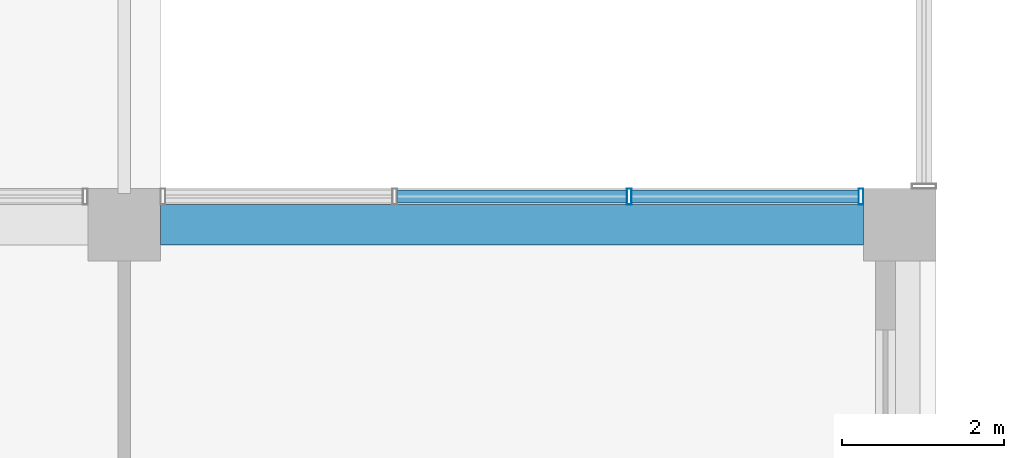
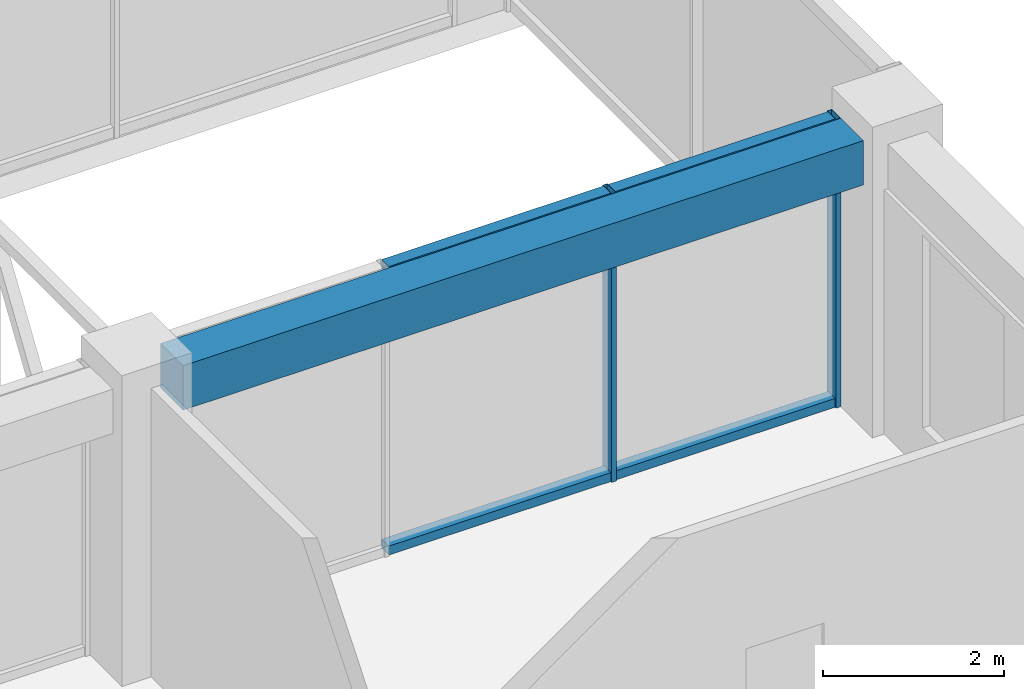
# One storey, part 18 of 38: 6 members, 1 beam, 1 element without a shape of its own.
"""IFC4 building model written with IfcOpenShell, lengths in metres."""

from ifc_helpers import new_model, si_unit, direction, frame, origin, origin_2d, place, context, subcontext, project, spatial, rectangle, hollow_rectangle, extrude, material, layer, layer_set, material_profile, profile_set, type_object, element, aggregate, save


model = new_model("IFC4")

# Units and contexts
model_context = context("Model", 3, precision=1e-05, world=origin(), true_north=direction((0.0, 1.0)))
body_context = subcontext(model_context, "Body", "Model", "MODEL_VIEW")
ifc_project = project(units=[si_unit("LENGTHUNIT", "METRE"), si_unit("AREAUNIT", "SQUARE_METRE"), si_unit("VOLUMEUNIT", "CUBIC_METRE"), si_unit("PLANEANGLEUNIT", "RADIAN"), si_unit("MASSUNIT", "GRAM", prefix="KILO")], contexts=[model_context])

# Site, building, storey
site_placement = place(None, origin())
site = spatial("IfcSite", under=ifc_project, at=site_placement, CompositionType="ELEMENT")
building_placement = place(site_placement, origin())
building = spatial("IfcBuilding", under=site, at=building_placement, Name="Nzadi Deep Aquarium and Research Tower", CompositionType="ELEMENT")
storey_placement = place(building_placement, frame((0.0, 0.0, 65.5)))
storey = spatial("IfcBuildingStorey", under=building, at=storey_placement, Name="L13", CompositionType="ELEMENT", Elevation=65.5)

# Curtain wall, members
ifc_material_1 = material(Name="Aluminium unitised frame", Category="aluminium")
ifc_layer = layer(ifc_material_1, 0.199951171875)
ifc_layer_set = layer_set([ifc_layer], Name="Aluminium unitised frame")
curtain_wall_type = type_object("IfcCurtainWallType", Name="Curtain wall Unitised 200", PredefinedType="NOTDEFINED", material=ifc_layer_set)
curtain_wall_placement = place(storey_placement, origin())
curtain_wall = element("IfcCurtainWall", 1, at=curtain_wall_placement, inside=storey, type_object=curtain_wall_type, Name="Unitised curtain wall blade A north L13", PredefinedType="NOTDEFINED")
ifc_material_2 = material(Name="Aluminium unitised frame", Category="aluminium")
ifc_material_profile_1 = material_profile(ifc_material_2, hollow_rectangle(XDim=0.199951171875, YDim=0.06005859375, WallThickness=0.0048828125, at=origin_2d()))
ifc_profile_set_1 = profile_set([ifc_material_profile_1], Name="Aluminium unitised frame")
member_type_1 = type_object("IfcMemberType", Name="Mullion 60x200 Unitised", PredefinedType="MULLION", material=ifc_profile_set_1)
member_1_placement = place(storey_placement, frame((44.64990234375, 18.75, 0.0), z_axis=(0.0, 0.0, 1.0), x_axis=(0.0, 1.0, 0.0)))
member_1 = element("IfcMember", 2, at=member_1_placement, type_object=member_type_1, Name="CW063 mullion 3", PredefinedType="MULLION", context=body_context, shape_type="SweptSolid", body=[
    extrude(hollow_rectangle(XDim=0.199951171875, YDim=0.06005859375, WallThickness=0.0048828125, at=origin_2d()), origin(), (0.0, 0.0, 1.0), 3.89990234375),
])
member_2_placement = place(storey_placement, frame((47.52001953125, 18.75, 0.0), z_axis=(0.0, 0.0, 1.0), x_axis=(0.0, 1.0, 0.0)))
member_2 = element("IfcMember", 3, at=member_2_placement, type_object=member_type_1, Name="CW063 mullion 4", PredefinedType="MULLION", context=body_context, shape_type="SweptSolid", body=[
    extrude(hollow_rectangle(XDim=0.199951171875, YDim=0.06005859375, WallThickness=0.0048828125, at=origin_2d()), origin(), (0.0, 0.0, 1.0), 3.89990234375),
])

# Beam
ifc_material_3 = material(Name="Concrete C35/45", Category="concrete")
ifc_material_profile_2 = material_profile(ifc_material_3, rectangle(XDim=0.5, YDim=0.60009765625, at=origin_2d()))
ifc_profile_set_2 = profile_set([ifc_material_profile_2], Name="Concrete C35/45")
beam_type = type_object("IfcBeamType", Name="RC 500x600", PredefinedType="BEAM", material=ifc_profile_set_2)
beam_placement = place(storey_placement, frame((38.85009765625, 18.39990234375, 3.60009765625), z_axis=(1.0, 0.0, 0.0), x_axis=(0.0, 1.0, 0.0)))
element("IfcBeam", 4, at=beam_placement, inside=storey, type_object=beam_type, Name="B-Z1-L13-L3-5", PredefinedType="BEAM", context=body_context, shape_type="SweptSolid", body=[
    extrude(rectangle(XDim=0.5, YDim=0.60009765625, at=origin_2d()), origin(), (0.0, 0.0, 1.0), 8.699951171875),
])

# Member
ifc_material_4 = material(Name="Aluminium unitised frame", Category="aluminium")
ifc_material_profile_3 = material_profile(ifc_material_4, hollow_rectangle(XDim=0.159912109375, YDim=0.1201171875, WallThickness=0.0048828125, at=origin_2d()))
ifc_profile_set_3 = profile_set([ifc_material_profile_3], Name="Aluminium unitised frame")
member_type_2 = type_object("IfcMemberType", Name="Transom 120x160 Unitised", PredefinedType="MULLION", material=ifc_profile_set_3)
member_3_placement = place(storey_placement, frame((41.780029296875, 18.75, 0.06005859375), z_axis=(1.0, 0.0, 0.0), x_axis=(0.0, 1.0, 0.0)))
member_3 = element("IfcMember", 5, at=member_3_placement, type_object=member_type_2, Name="CW063 transom 2.1", PredefinedType="MULLION", context=body_context, shape_type="SweptSolid", body=[
    extrude(hollow_rectangle(XDim=0.159912109375, YDim=0.1201171875, WallThickness=0.0048828125, at=origin_2d()), origin(), (0.0, 0.0, 1.0), 2.840087890625),
])

member_4_placement = place(storey_placement, frame((41.780029296875, 18.75, 3.840087890625), z_axis=(1.0, 0.0, 0.0), x_axis=(0.0, 1.0, 0.0)))
member_4 = element("IfcMember", 6, at=member_4_placement, type_object=member_type_2, Name="CW063 transom 2.2", PredefinedType="MULLION", context=body_context, shape_type="SweptSolid", body=[
    extrude(hollow_rectangle(XDim=0.159912109375, YDim=0.1201171875, WallThickness=0.0048828125, at=origin_2d()), origin(), (0.0, 0.0, 1.0), 2.840087890625),
])

member_5_placement = place(storey_placement, frame((44.679931640625, 18.75, 0.06005859375), z_axis=(1.0, 0.0, 0.0), x_axis=(0.0, 1.0, 0.0)))
member_5 = element("IfcMember", 7, at=member_5_placement, type_object=member_type_2, Name="CW063 transom 3.1", PredefinedType="MULLION", context=body_context, shape_type="SweptSolid", body=[
    extrude(hollow_rectangle(XDim=0.159912109375, YDim=0.1201171875, WallThickness=0.0048828125, at=origin_2d()), origin(), (0.0, 0.0, 1.0), 2.81005859375),
])

member_6_placement = place(storey_placement, frame((44.679931640625, 18.75, 3.840087890625), z_axis=(1.0, 0.0, 0.0), x_axis=(0.0, 1.0, 0.0)))
member_6 = element("IfcMember", 8, at=member_6_placement, type_object=member_type_2, Name="CW063 transom 3.2", PredefinedType="MULLION", context=body_context, shape_type="SweptSolid", body=[
    extrude(hollow_rectangle(XDim=0.159912109375, YDim=0.1201171875, WallThickness=0.0048828125, at=origin_2d()), origin(), (0.0, 0.0, 1.0), 2.81005859375),
])

aggregate(curtain_wall, [member_1, member_2, member_3, member_4, member_5, member_6])

save(model, "model.ifc")
